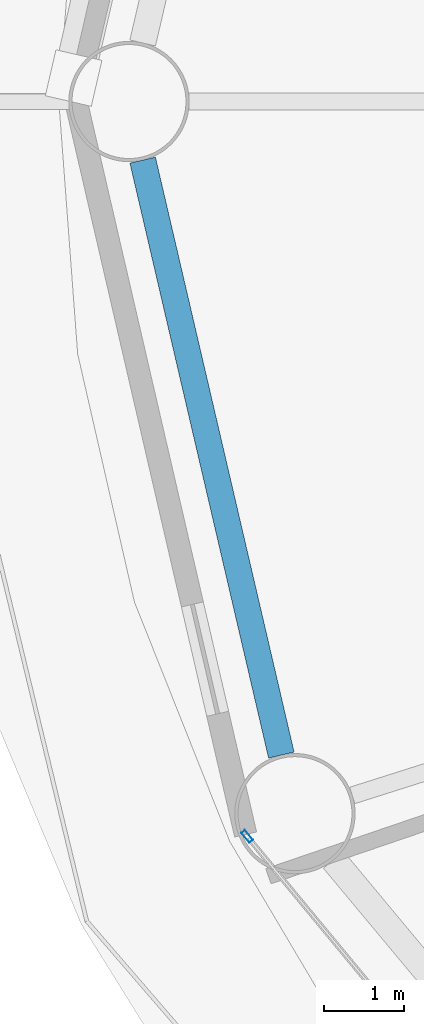
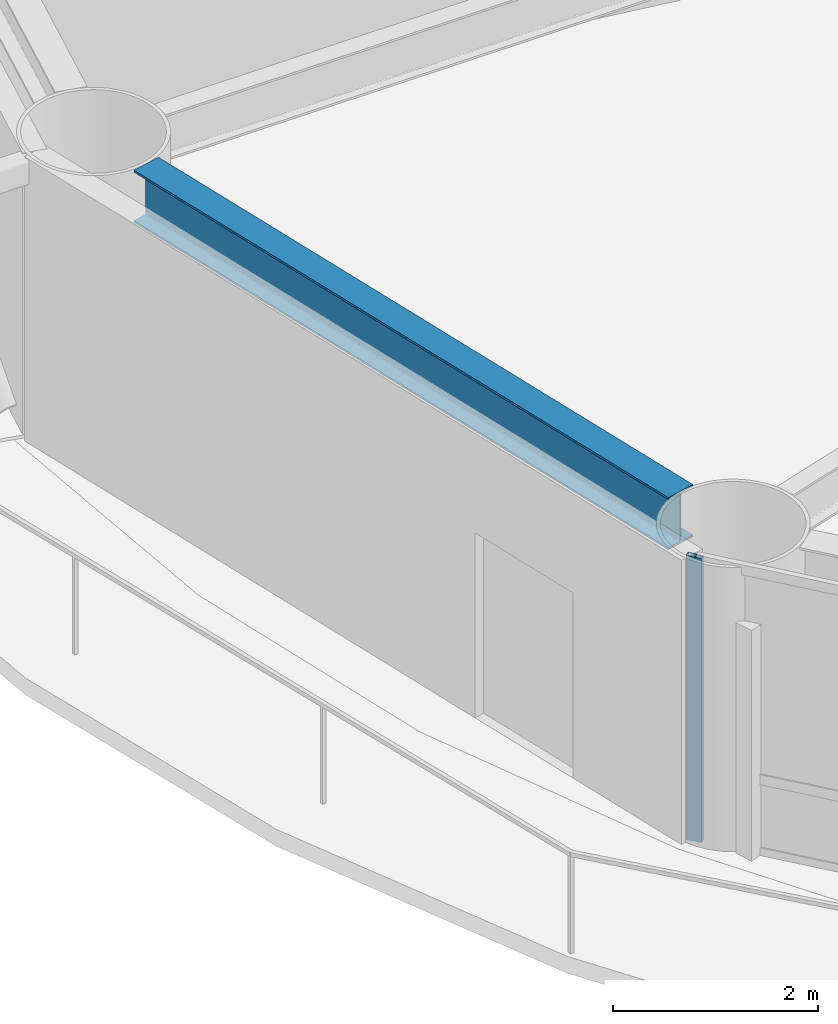
# One storey, part 4 of 26: 1 beam, 1 member, 1 element without a shape of its own.
"""IFC4 building model written with IfcOpenShell, lengths in metres."""

from ifc_helpers import new_model, si_unit, direction, frame, origin, origin_2d, place, context, subcontext, project, spatial, hollow_rectangle, i_section, extrude, material, layer, layer_set, material_profile, profile_set, type_object, element, aggregate, save


model = new_model("IFC4")

# Units and contexts
model_context = context("Model", 3, precision=1e-05, world=origin(), true_north=direction((0.0, 1.0)))
body_context = subcontext(model_context, "Body", "Model", "MODEL_VIEW")
ifc_project = project(units=[si_unit("LENGTHUNIT", "METRE"), si_unit("AREAUNIT", "SQUARE_METRE"), si_unit("VOLUMEUNIT", "CUBIC_METRE"), si_unit("PLANEANGLEUNIT", "RADIAN"), si_unit("MASSUNIT", "GRAM", prefix="KILO")], contexts=[model_context])

# Site, building, storey
site_placement = place(None, origin())
site = spatial("IfcSite", under=ifc_project, at=site_placement, CompositionType="ELEMENT")
building_placement = place(site_placement, origin())
building = spatial("IfcBuilding", under=site, at=building_placement, Name="Sarneth Arch Tower", CompositionType="ELEMENT")
storey_placement = place(building_placement, frame((0.0, 0.0, 35.39990234375)))
storey = spatial("IfcBuildingStorey", under=building, at=storey_placement, Name="L07", CompositionType="ELEMENT", Elevation=35.39990234375)

# Beam
ifc_material_1 = material(Name="Steel S355", Category="steel")
ifc_material_profile_1 = material_profile(ifc_material_1, i_section(OverallWidth=0.326904296875, OverallDepth=0.6220703125, WebThickness=0.015380859375, FlangeThickness=0.0244140625, FilletRadius=0.01904296875, at=origin_2d()), Name="W610x195")
ifc_profile_set_1 = profile_set([ifc_material_profile_1], Name="Steel S355")
beam_type = type_object("IfcBeamType", Name="BM-SPAN-610A", PredefinedType="SPANDREL", material=ifc_profile_set_1)
beam_placement = place(storey_placement, frame((18.135498046875, 41.26953125, 3.069091796875), z_axis=(0.226982354826, -0.973898870827, 0.0), x_axis=(0.973898870827, 0.226982354826, 0.0)))
element("IfcBeam", 1, at=beam_placement, inside=storey, type_object=beam_type, Name="L07 Perimeter spandrel beam 09", PredefinedType="SPANDREL", context=body_context, shape_type="SweptSolid", body=[
    extrude(i_section(OverallWidth=0.326904296875, OverallDepth=0.6220703125, WebThickness=0.015380859375, FlangeThickness=0.0244140625, FilletRadius=0.01904296875, at=origin_2d()), origin(), (0.0, 0.0, 1.0), 7.6162109375),
])

# Curtain wall, member
ifc_material_2 = material(Name="Anodised aluminium Type AA25 and solar-control low-e laminated IGU", Category="aluminium")
ifc_layer = layer(ifc_material_2, 0.159912109375)
ifc_layer_set = layer_set([ifc_layer], Name="Anodised aluminium Type AA25 and solar-control low-e laminated IGU")
curtain_wall_type = type_object("IfcCurtainWallType", Name="CW-HOTEL-LOW", PredefinedType="NOTDEFINED", material=ifc_layer_set)
curtain_wall_placement = place(storey_placement, origin())
curtain_wall = element("IfcCurtainWall", 2, at=curtain_wall_placement, inside=storey, type_object=curtain_wall_type, Name="L07 Unitised curtain wall facet 10", PredefinedType="NOTDEFINED")
ifc_material_3 = material(Name="Anodised Aluminium 6063-T6", Category="aluminium")
ifc_material_profile_2 = material_profile(ifc_material_3, hollow_rectangle(XDim=0.06005859375, YDim=0.159912109375, WallThickness=0.00390625, at=origin_2d()), Name="AL-MULL-160x60x4")
ifc_profile_set_2 = profile_set([ifc_material_profile_2], Name="Anodised Aluminium 6063-T6")
member_type = type_object("IfcMemberType", Name="CW-MULLION", PredefinedType="MULLION", material=ifc_profile_set_2)
member_placement = place(storey_placement, frame((19.438232421875, 32.83837890625, 0.0), z_axis=(0.0, 0.0, 1.0), x_axis=(0.770622960278, 0.637291340827, 0.0)))
member = element("IfcMember", 3, at=member_placement, type_object=member_type, Name="CW-SYS-3 mullion 1", PredefinedType="MULLION", context=body_context, shape_type="SweptSolid", body=[
    extrude(hollow_rectangle(XDim=0.06005859375, YDim=0.159912109375, WallThickness=0.00390625, at=origin_2d()), origin(), (0.0, 0.0, 1.0), 3.380126953125),
])
aggregate(curtain_wall, [member])

save(model, "model.ifc")
